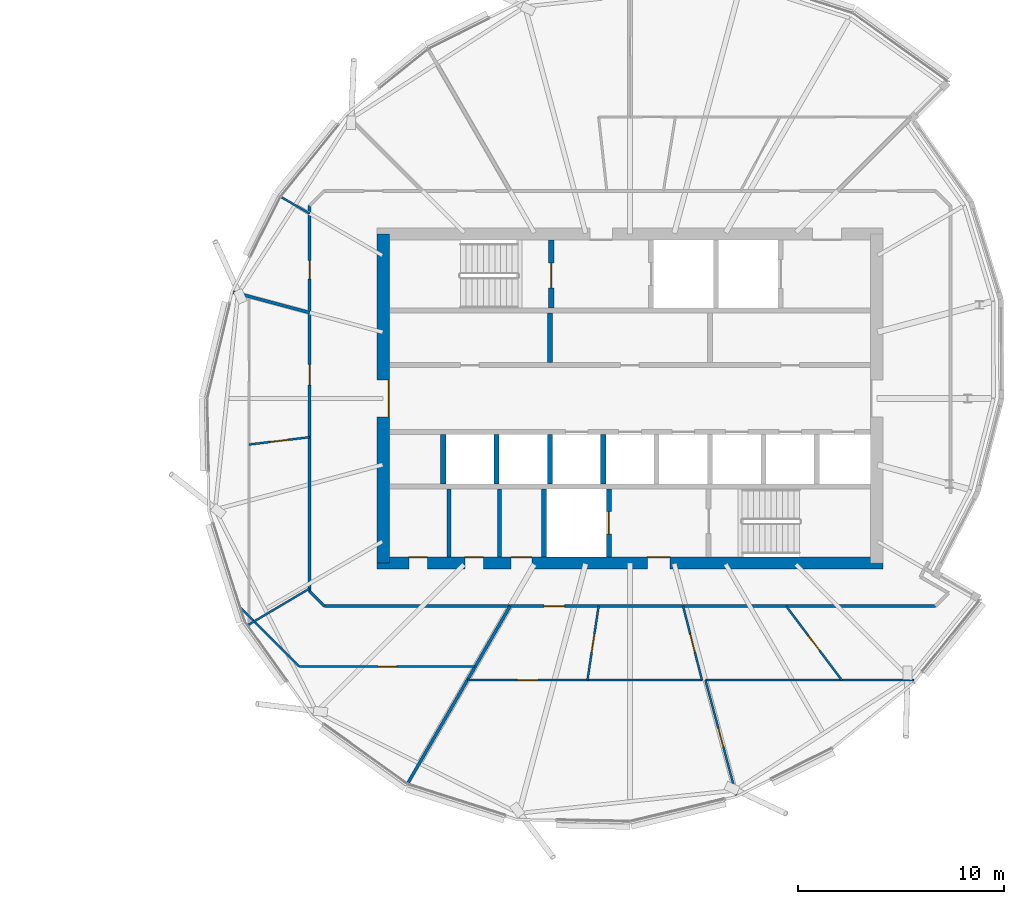
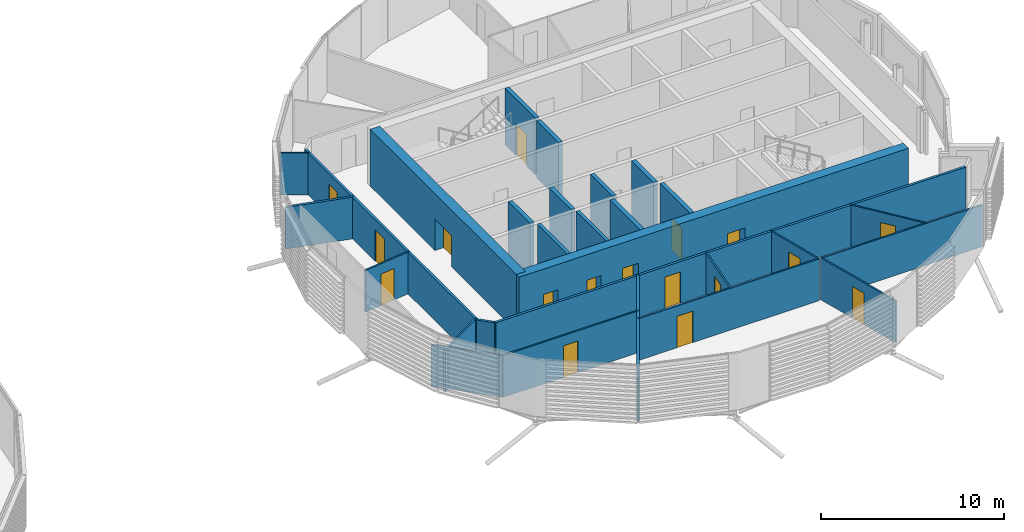
# One storey, part 22 of 36: 28 walls, 17 doors, 17 openings.
"""IFC4 building model written with IfcOpenShell, lengths in metres."""

from ifc_helpers import new_model, si_unit, direction, frame, frame_2d, origin, place, context, subcontext, project, spatial, rectangle, extrude, material, layer, layer_set, type_object, element, fill, save


model = new_model("IFC4")

# Units and contexts
model_context = context("Model", 3, precision=1e-05, world=origin(), true_north=direction((0.0, 1.0)))
body_context = subcontext(model_context, "Body", "Model", "MODEL_VIEW")
ifc_project = project(units=[si_unit("LENGTHUNIT", "METRE"), si_unit("AREAUNIT", "SQUARE_METRE"), si_unit("VOLUMEUNIT", "CUBIC_METRE"), si_unit("PLANEANGLEUNIT", "RADIAN"), si_unit("MASSUNIT", "GRAM", prefix="KILO")], contexts=[model_context])

# Site, building, storey
site_placement = place(None, origin())
site = spatial("IfcSite", under=ifc_project, at=site_placement, CompositionType="ELEMENT")
building_placement = place(site_placement, origin())
building = spatial("IfcBuilding", under=site, at=building_placement, Name="Rimbun Link Towers", CompositionType="ELEMENT")
storey_placement = place(building_placement, frame((0.0, 0.0, 189.300048828125)))
storey = spatial("IfcBuildingStorey", under=building, at=storey_placement, Name="L46", CompositionType="ELEMENT", Elevation=189.300048828125)

# Walls
ifc_material_1 = material(Name="Masonry blockwork", Category="masonry")
ifc_layer_1 = layer(ifc_material_1, 0.199951171875)
ifc_layer_set_1 = layer_set([ifc_layer_1], Name="Core partition 200")
wall_type_1 = type_object("IfcWallType", Name="Core partition 200", PredefinedType="PARTITIONING", material=ifc_layer_set_1)
for number, where, z_axis, x_axis, name in (
    (1, (22.949951171875, -4.39990234375, 0.0), (0.0, 0.0, 1.0), (0.0, -1.0, 0.0), "L46 T2 core wall C1"),
    (2, (25.39990234375, -4.39990234375, 0.0), (0.0, 0.0, 1.0), (0.0, -1.0, 0.0), "L46 T2 core wall C2"),
):
    element("IfcWall", number, at=place(storey_placement, frame(where, z_axis=z_axis, x_axis=x_axis)), inside=storey, type_object=wall_type_1, Name=name, PredefinedType="PARTITIONING", context=body_context, shape_type="SweptSolid", body=[
        extrude(rectangle(XDim=3.300048828125, YDim=0.199951171875, at=frame_2d((1.64990234375, 0.0))), origin(), (0.0, 0.0, 1.0), 3.800048828125),
    ])

# Wall, openings, doors
ifc_material_2 = material(Name="Concrete C60/75", Category="concrete")
ifc_layer_2 = layer(ifc_material_2, 0.60009765625)
ifc_layer_set_2 = layer_set([ifc_layer_2], Name="Core shear wall 600")
wall_type_2 = type_object("IfcWallType", Name="Core shear wall 600", PredefinedType="SHEAR", material=ifc_layer_set_2)
wall_1_placement = place(storey_placement, frame((19.449951171875, -8.0, 0.0), z_axis=(0.0, 0.0, 1.0), x_axis=(1.0, 0.0, 0.0)))
wall_1 = element("IfcWall", 3, at=wall_1_placement, inside=storey, type_object=wall_type_2, Name="L46 T2 core wall S", PredefinedType="SHEAR", context=body_context, shape_type="SweptSolid", body=[
    extrude(rectangle(XDim=24.60009765625, YDim=0.60009765625, at=frame_2d((12.300048828125, 0.0))), origin(), (0.0, 0.0, 1.0), 3.800048828125),
])
opening_1_placement = place(wall_1_placement, frame((13.14990234375, 0.0, 0.0)))
opening_1 = element("IfcOpeningElement", 4, at=opening_1_placement, cuts=wall_1, Name="Opening C2DCF01S", PredefinedType="OPENING", context=body_context, shape_type="SweptSolid", body=[
    extrude(rectangle(XDim=1.10009765625, YDim=2.10009765625, at=frame_2d((0.550048828125, 1.050048828125))), frame((0.0, 0.31005859375, 0.0), z_axis=(0.0, -1.0, 0.0), x_axis=(1.0, 0.0, 0.0)), (0.0, 0.0, 1.0), 0.6201171875),
])
opening_2_placement = place(wall_1_placement, frame((1.550048828125, 0.0, 0.0)))
opening_2 = element("IfcOpeningElement", 5, at=opening_2_placement, cuts=wall_1, Name="Opening C2DWC02S", PredefinedType="OPENING", context=body_context, shape_type="SweptSolid", body=[
    extrude(rectangle(XDim=0.89990234375, YDim=2.10009765625, at=frame_2d((0.449951171875, 1.050048828125))), frame((0.0, 0.31005859375, 0.0), z_axis=(0.0, -1.0, 0.0), x_axis=(1.0, 0.0, 0.0)), (0.0, 0.0, 1.0), 0.6201171875),
])
opening_3_placement = place(wall_1_placement, frame((4.27490234375, 0.0, 0.0)))
opening_3 = element("IfcOpeningElement", 6, at=opening_3_placement, cuts=wall_1, Name="Opening C2DWC03S", PredefinedType="OPENING", context=body_context, shape_type="SweptSolid", body=[
    extrude(rectangle(XDim=0.89990234375, YDim=2.10009765625, at=frame_2d((0.449951171875, 1.050048828125))), frame((0.0, 0.31005859375, 0.0), z_axis=(0.0, -1.0, 0.0), x_axis=(1.0, 0.0, 0.0)), (0.0, 0.0, 1.0), 0.6201171875),
])
opening_4_placement = place(wall_1_placement, frame((6.52490234375, 0.0, 0.0)))
opening_4 = element("IfcOpeningElement", 7, at=opening_4_placement, cuts=wall_1, Name="Opening C2DAW04S", PredefinedType="OPENING", context=body_context, shape_type="SweptSolid", body=[
    extrude(rectangle(XDim=1.0, YDim=2.10009765625, at=frame_2d((0.5, 1.050048828125))), frame((0.0, 0.31005859375, 0.0), z_axis=(0.0, -1.0, 0.0), x_axis=(1.0, 0.0, 0.0)), (0.0, 0.0, 1.0), 0.6201171875),
])
ifc_material_3 = material(Name="Timber", Category="wood")
door_type_1 = type_object("IfcDoorType", Name="Accessible WC door", OperationType="SINGLE_SWING_LEFT", PredefinedType="DOOR", material=ifc_material_3)
door_1_placement = place(opening_4_placement, origin())
door_1 = element("IfcDoor", 8, at=door_1_placement, inside=storey, type_object=door_type_1, Name="L46 T2 accessible wc door", OperationType="SINGLE_SWING_LEFT", OverallHeight=2.10009765625, OverallWidth=1.0, PredefinedType="DOOR", context=body_context, shape_type="SweptSolid", body=[
    extrude(rectangle(XDim=1.0, YDim=2.10009765625, at=frame_2d((0.5, 1.050048828125))), frame((0.0, 0.2998046875, 0.0), z_axis=(0.0, -1.0, 0.0), x_axis=(1.0, 0.0, 0.0)), (0.0, 0.0, 1.0), 0.050048828125),
])
fill(opening_4, door_1)
ifc_material_4 = material(Name="Steel fire door set", Category="steel")
door_type_2 = type_object("IfcDoorType", Name="Core fire door single", OperationType="SINGLE_SWING_LEFT", PredefinedType="DOOR", material=ifc_material_4)
door_2_placement = place(opening_1_placement, origin())
door_2 = element("IfcDoor", 9, at=door_2_placement, inside=storey, type_object=door_type_2, Name="L46 T2 firefighting lobby s door", OperationType="SINGLE_SWING_RIGHT", OverallHeight=2.10009765625, OverallWidth=1.10009765625, PredefinedType="DOOR", context=body_context, shape_type="SweptSolid", body=[
    extrude(rectangle(XDim=1.10009765625, YDim=2.10009765625, at=frame_2d((0.550048828125, 1.050048828125))), frame((0.0, 0.2998046875, 0.0), z_axis=(0.0, -1.0, 0.0), x_axis=(1.0, 0.0, 0.0)), (0.0, 0.0, 1.0), 0.050048828125),
])
fill(opening_1, door_2)
ifc_material_5 = material(Name="Timber", Category="wood")
door_type_3 = type_object("IfcDoorType", Name="WC door", OperationType="SINGLE_SWING_LEFT", PredefinedType="DOOR", material=ifc_material_5)
door_3_placement = place(opening_2_placement, origin())
door_3 = element("IfcDoor", 10, at=door_3_placement, inside=storey, type_object=door_type_3, Name="L46 T2 male wc door", OperationType="SINGLE_SWING_RIGHT", OverallHeight=2.10009765625, OverallWidth=0.89990234375, PredefinedType="DOOR", context=body_context, shape_type="SweptSolid", body=[
    extrude(rectangle(XDim=0.89990234375, YDim=2.10009765625, at=frame_2d((0.449951171875, 1.050048828125))), frame((0.0, 0.2998046875, 0.0), z_axis=(0.0, -1.0, 0.0), x_axis=(1.0, 0.0, 0.0)), (0.0, 0.0, 1.0), 0.050048828125),
])
fill(opening_2, door_3)
door_4_placement = place(opening_3_placement, origin())
door_4 = element("IfcDoor", 11, at=door_4_placement, inside=storey, type_object=door_type_3, Name="L46 T2 female wc door", OperationType="SINGLE_SWING_RIGHT", OverallHeight=2.10009765625, OverallWidth=0.89990234375, PredefinedType="DOOR", context=body_context, shape_type="SweptSolid", body=[
    extrude(rectangle(XDim=0.89990234375, YDim=2.10009765625, at=frame_2d((0.449951171875, 1.050048828125))), frame((0.0, 0.2998046875, 0.0), z_axis=(0.0, -1.0, 0.0), x_axis=(1.0, 0.0, 0.0)), (0.0, 0.0, 1.0), 0.050048828125),
])
fill(opening_3, door_4)

# Wall, opening, door
wall_2_placement = place(storey_placement, frame((19.75, -8.0, 0.0), z_axis=(0.0, 0.0, 1.0), x_axis=(0.0, 1.0, 0.0)))
wall_2 = element("IfcWall", 12, at=wall_2_placement, inside=storey, type_object=wall_type_2, Name="L46 T2 core wall W", PredefinedType="SHEAR", context=body_context, shape_type="SweptSolid", body=[
    extrude(rectangle(XDim=16.0, YDim=0.60009765625, at=frame_2d((8.0, 0.0))), origin(), (0.0, 0.0, 1.0), 3.800048828125),
])
opening_5_placement = place(wall_2_placement, frame((7.10009765625, 0.0, 0.0)))
opening_5 = element("IfcOpeningElement", 13, at=opening_5_placement, cuts=wall_2, Name="Opening C2DCL01W", PredefinedType="OPENING", context=body_context, shape_type="SweptSolid", body=[
    extrude(rectangle(XDim=1.800048828125, YDim=2.10009765625, at=frame_2d((0.89990234375, 1.050048828125))), frame((0.0, 0.31005859375, 0.0), z_axis=(0.0, -1.0, 0.0), x_axis=(1.0, 0.0, 0.0)), (0.0, 0.0, 1.0), 0.6201171875),
])
ifc_material_6 = material(Name="Steel fire door set", Category="steel")
door_type_4 = type_object("IfcDoorType", Name="Core lobby door double", OperationType="DOUBLE_DOOR_SINGLE_SWING", PredefinedType="DOOR", material=ifc_material_6)
door_5_placement = place(opening_5_placement, origin())
door_5 = element("IfcDoor", 14, at=door_5_placement, inside=storey, type_object=door_type_4, Name="L46 T2 lift lobby door", OperationType="DOUBLE_DOOR_SINGLE_SWING", OverallHeight=2.10009765625, OverallWidth=1.800048828125, PredefinedType="DOOR", context=body_context, shape_type="SweptSolid", body=[
    extrude(rectangle(XDim=1.800048828125, YDim=2.10009765625, at=frame_2d((0.89990234375, 1.050048828125))), frame((0.0, -0.25, 0.0), z_axis=(0.0, -1.0, 0.0), x_axis=(1.0, 0.0, 0.0)), (0.0, 0.0, 1.0), 0.050048828125),
])
fill(opening_5, door_5)

ifc_material_7 = material(Name="Plasterboard on steel stud, mineral wool", Category="steel")
ifc_layer_3 = layer(ifc_material_7, 0.14990234375)
ifc_layer_set_3 = layer_set([ifc_layer_3], Name="Corridor wall EI 30 150 mm")
wall_type_3 = type_object("IfcWallType", Name="Corridor wall EI 30 150 mm", PredefinedType="PARTITIONING", material=ifc_layer_set_3)
wall_3_placement = place(storey_placement, frame((46.603759765625, -10.094970703125, 0.0), z_axis=(0.0, 0.0, 1.0), x_axis=(-1.0, 0.0, 0.0)))
wall_3 = element("IfcWall", 15, at=wall_3_placement, inside=storey, type_object=wall_type_3, Name="Corridor wall EI 30 150 mm", PredefinedType="PARTITIONING", context=body_context, shape_type="SweptSolid", body=[
    extrude(rectangle(XDim=29.70751953125, YDim=0.14990234375, at=frame_2d((14.853759765625, 0.0))), origin(), (0.0, 0.0, 1.0), 2.7890625),
])
opening_6_placement = place(wall_3_placement, frame((18.02978515625, 0.0, 0.0)))
opening_6 = element("IfcOpeningElement", 16, at=opening_6_placement, cuts=wall_3, Name="Opening D01", PredefinedType="OPENING", context=body_context, shape_type="SweptSolid", body=[
    extrude(rectangle(XDim=1.0, YDim=2.10009765625, at=frame_2d((0.5, 1.050048828125))), frame((0.0, 0.0849609375, 0.0), z_axis=(0.0, -1.0, 0.0), x_axis=(1.0, 0.0, 0.0)), (0.0, 0.0, 1.0), 0.169921875),
])
ifc_material_8 = material(Name="Fire-resisting timber door leaf", Category="wood")
door_type_5 = type_object("IfcDoorType", Name="Fire door FD30S 1000", OperationType="NOTDEFINED", PredefinedType="DOOR", material=ifc_material_8)
door_6_placement = place(opening_6_placement, origin())
door_6 = element("IfcDoor", 17, at=door_6_placement, inside=storey, type_object=door_type_5, Name="Fire door FD30S 1000 to Tenant lobby", OperationType="SINGLE_SWING_RIGHT", OverallHeight=2.10009765625, OverallWidth=1.0, PredefinedType="DOOR", context=body_context, shape_type="SweptSolid", body=[
    extrude(rectangle(XDim=1.0, YDim=2.10009765625, at=frame_2d((0.5, 1.050048828125))), frame((0.0, 0.02490234375, 0.0), z_axis=(0.0, -1.0, 0.0), x_axis=(1.0, 0.0, 0.0)), (0.0, 0.0, 1.0), 0.050048828125),
])
fill(opening_6, door_6)

# Wall
wall_4_placement = place(storey_placement, frame((16.175048828125, -9.373779296875, 0.0), z_axis=(0.0, 0.0, 1.0), x_axis=(0.707106781187, -0.707106781187, 0.0)))
element("IfcWall", 18, at=wall_4_placement, inside=storey, type_object=wall_type_3, Name="Corridor wall EI 30 150 mm", PredefinedType="PARTITIONING", context=body_context, shape_type="SweptSolid", body=[
    extrude(rectangle(XDim=1.02001953125, YDim=0.14990234375, at=frame_2d((0.510009765625, 0.0))), origin(), (0.0, 0.0, 1.0), 2.7890625),
])

# Wall, openings, doors
wall_5_placement = place(storey_placement, frame((16.175048828125, -9.373779296875, 0.0), z_axis=(0.0, 0.0, 1.0), x_axis=(0.0, 1.0, 0.0)))
wall_5 = element("IfcWall", 19, at=wall_5_placement, inside=storey, type_object=wall_type_3, Name="Corridor wall EI 30 150 mm", PredefinedType="PARTITIONING", context=body_context, shape_type="SweptSolid", body=[
    extrude(rectangle(XDim=18.74755859375, YDim=0.14990234375, at=frame_2d((9.373779296875, 0.0))), origin(), (0.0, 0.0, 1.0), 2.7890625),
])
opening_7_placement = place(wall_5_placement, frame((15.17529296875, 0.0, 0.0)))
opening_7 = element("IfcOpeningElement", 20, at=opening_7_placement, cuts=wall_5, Name="Opening D02", PredefinedType="OPENING", context=body_context, shape_type="SweptSolid", body=[
    extrude(rectangle(XDim=0.89990234375, YDim=2.10009765625, at=frame_2d((0.449951171875, 1.050048828125))), frame((0.0, 0.0849609375, 0.0), z_axis=(0.0, -1.0, 0.0), x_axis=(1.0, 0.0, 0.0)), (0.0, 0.0, 1.0), 0.169921875),
])
opening_8_placement = place(wall_5_placement, frame((10.01904296875, 0.0, 0.0)))
opening_8 = element("IfcOpeningElement", 21, at=opening_8_placement, cuts=wall_5, Name="Opening D01", PredefinedType="OPENING", context=body_context, shape_type="SweptSolid", body=[
    extrude(rectangle(XDim=1.0, YDim=2.10009765625, at=frame_2d((0.5, 1.050048828125))), frame((0.0, 0.0849609375, 0.0), z_axis=(0.0, -1.0, 0.0), x_axis=(1.0, 0.0, 0.0)), (0.0, 0.0, 1.0), 0.169921875),
])
door_7_placement = place(opening_8_placement, origin())
door_7 = element("IfcDoor", 22, at=door_7_placement, inside=storey, type_object=door_type_5, Name="Fire door FD30S 1000 to Tenant lobby", OperationType="SINGLE_SWING_LEFT", OverallHeight=2.10009765625, OverallWidth=1.0, PredefinedType="DOOR", context=body_context, shape_type="SweptSolid", body=[
    extrude(rectangle(XDim=1.0, YDim=2.10009765625, at=frame_2d((0.5, 1.050048828125))), frame((0.0, 0.02490234375, 0.0), z_axis=(0.0, -1.0, 0.0), x_axis=(1.0, 0.0, 0.0)), (0.0, 0.0, 1.0), 0.050048828125),
])
fill(opening_8, door_7)
ifc_material_9 = material(Name="Fire-resisting timber door leaf", Category="wood")
door_type_6 = type_object("IfcDoorType", Name="Fire door FD30S 900", OperationType="NOTDEFINED", PredefinedType="DOOR", material=ifc_material_9)
door_8_placement = place(opening_7_placement, origin())
door_8 = element("IfcDoor", 23, at=door_8_placement, inside=storey, type_object=door_type_6, Name="Fire door FD30S 900 to Meeting room", OperationType="SINGLE_SWING_RIGHT", OverallHeight=2.10009765625, OverallWidth=0.89990234375, PredefinedType="DOOR", context=body_context, shape_type="SweptSolid", body=[
    extrude(rectangle(XDim=0.89990234375, YDim=2.10009765625, at=frame_2d((0.449951171875, 1.050048828125))), frame((0.0, 0.02490234375, 0.0), z_axis=(0.0, -1.0, 0.0), x_axis=(1.0, 0.0, 0.0)), (0.0, 0.0, 1.0), 0.050048828125),
])
fill(opening_7, door_8)

# Wall
ifc_material_10 = material(Name="Plasterboard on steel stud", Category="steel")
ifc_layer_4 = layer(ifc_material_10, 0.10009765625)
ifc_layer_set_4 = layer_set([ifc_layer_4], Name="Plasterboard partition 100 mm")
wall_type_4 = type_object("IfcWallType", Name="Plasterboard partition 100 mm", PredefinedType="PARTITIONING", material=ifc_layer_set_4)
wall_6_placement = place(storey_placement, frame((14.777099609375, 9.79931640625, 0.0), z_axis=(0.0, 0.0, 1.0), x_axis=(0.866019355129, -0.500010476433, 0.0)))
element("IfcWall", 24, at=wall_6_placement, inside=storey, type_object=wall_type_4, Name="Plasterboard partition 100 mm", PredefinedType="PARTITIONING", context=body_context, shape_type="SweptSolid", body=[
    extrude(rectangle(XDim=1.6142578125, YDim=0.10009765625, at=frame_2d((0.80712890625, 0.0))), origin(), (0.0, 0.0, 1.0), 2.7890625),
])

# Wall, opening, door
wall_7_placement = place(storey_placement, frame((16.175048828125, -1.8828125, 0.0), z_axis=(0.0, 0.0, 1.0), x_axis=(-0.992779371336, -0.119954657473, 0.0)))
wall_7 = element("IfcWall", 25, at=wall_7_placement, inside=storey, type_object=wall_type_4, Name="Plasterboard partition 100 mm", PredefinedType="PARTITIONING", context=body_context, shape_type="SweptSolid", body=[
    extrude(rectangle(XDim=2.96142578125, YDim=0.10009765625, at=frame_2d((1.480712890625, 0.0))), origin(), (0.0, 0.0, 1.0), 2.7890625),
])
opening_9_placement = place(wall_7_placement, frame((1.03076171875, 0.0, 0.0)))
opening_9 = element("IfcOpeningElement", 26, at=opening_9_placement, cuts=wall_7, Name="Opening D04", PredefinedType="OPENING", context=body_context, shape_type="SweptSolid", body=[
    extrude(rectangle(XDim=0.89990234375, YDim=2.10009765625, at=frame_2d((0.449951171875, 1.050048828125))), frame((0.0, 0.06005859375, 0.0), z_axis=(0.0, -1.0, 0.0), x_axis=(1.0, 0.0, 0.0)), (0.0, 0.0, 1.0), 0.1201171875),
])
ifc_material_11 = material(Name="Timber door leaf", Category="wood")
door_type_7 = type_object("IfcDoorType", Name="Flush door 900", OperationType="NOTDEFINED", PredefinedType="DOOR", material=ifc_material_11)
door_9_placement = place(opening_9_placement, origin())
door_9 = element("IfcDoor", 27, at=door_9_placement, inside=storey, type_object=door_type_7, Name="Flush door 900 to Data room", OperationType="SINGLE_SWING_LEFT", OverallHeight=2.10009765625, OverallWidth=0.89990234375, PredefinedType="DOOR", context=body_context, shape_type="SweptSolid", body=[
    extrude(rectangle(XDim=0.89990234375, YDim=2.10009765625, at=frame_2d((0.449951171875, 1.050048828125))), frame((0.0, 0.02490234375, 0.0), z_axis=(0.0, -1.0, 0.0), x_axis=(1.0, 0.0, 0.0)), (0.0, 0.0, 1.0), 0.050048828125),
])
fill(opening_9, door_9)

# Walls
wall_8_placement = place(storey_placement, frame((13.1640625, -11.023193359375, 0.0), z_axis=(0.0, 0.0, 1.0), x_axis=(0.86009095865, 0.510140708872, 0.0)))
element("IfcWall", 28, at=wall_8_placement, inside=storey, type_object=wall_type_4, Name="Plasterboard partition 100 mm", PredefinedType="PARTITIONING", context=body_context, shape_type="SweptSolid", body=[
    extrude(rectangle(XDim=3.500732421875, YDim=0.10009765625, at=frame_2d((1.75048828125, 0.0))), origin(), (0.0, 0.0, 1.0), 2.7890625),
])
wall_9_placement = place(storey_placement, frame((12.8203125, -10.177001953125, 0.0), z_axis=(0.0, 0.0, 1.0), x_axis=(0.707136982001, -0.707076579082, 0.0)))
element("IfcWall", 29, at=wall_9_placement, inside=storey, type_object=wall_type_4, Name="Plasterboard partition 100 mm", PredefinedType="PARTITIONING", context=body_context, shape_type="SweptSolid", body=[
    extrude(rectangle(XDim=4.041748046875, YDim=0.10009765625, at=frame_2d((2.02099609375, 0.0))), origin(), (0.0, 0.0, 1.0), 2.7890625),
])

# Wall, opening, door
wall_10_placement = place(storey_placement, frame((15.678466796875, -13.034912109375, 0.0), z_axis=(0.0, 0.0, 1.0), x_axis=(1.0, 0.0, 0.0)))
wall_10 = element("IfcWall", 30, at=wall_10_placement, inside=storey, type_object=wall_type_4, Name="Plasterboard partition 100 mm", PredefinedType="PARTITIONING", context=body_context, shape_type="SweptSolid", body=[
    extrude(rectangle(XDim=8.545654296875, YDim=0.10009765625, at=frame_2d((4.27294921875, 0.0))), origin(), (0.0, 0.0, 1.0), 2.7890625),
])
opening_10_placement = place(wall_10_placement, frame((3.822998046875, 0.0, 0.0)))
opening_10 = element("IfcOpeningElement", 31, at=opening_10_placement, cuts=wall_10, Name="Opening D04", PredefinedType="OPENING", context=body_context, shape_type="SweptSolid", body=[
    extrude(rectangle(XDim=0.89990234375, YDim=2.10009765625, at=frame_2d((0.449951171875, 1.050048828125))), frame((0.0, 0.06005859375, 0.0), z_axis=(0.0, -1.0, 0.0), x_axis=(1.0, 0.0, 0.0)), (0.0, 0.0, 1.0), 0.1201171875),
])
door_10_placement = place(opening_10_placement, origin())
door_10 = element("IfcDoor", 32, at=door_10_placement, inside=storey, type_object=door_type_7, Name="Flush door 900 to Communications room", OperationType="SINGLE_SWING_LEFT", OverallHeight=2.10009765625, OverallWidth=0.89990234375, PredefinedType="DOOR", context=body_context, shape_type="SweptSolid", body=[
    extrude(rectangle(XDim=0.89990234375, YDim=2.10009765625, at=frame_2d((0.449951171875, 1.050048828125))), frame((0.0, 0.02490234375, 0.0), z_axis=(0.0, -1.0, 0.0), x_axis=(1.0, 0.0, 0.0)), (0.0, 0.0, 1.0), 0.050048828125),
])
fill(opening_10, door_10)

wall_11_placement = place(storey_placement, frame((30.22607421875, -10.094970703125, 0.0), z_axis=(0.0, 0.0, 1.0), x_axis=(-0.14926506242, -0.988797219424, 0.0)))
wall_11 = element("IfcWall", 33, at=wall_11_placement, inside=storey, type_object=wall_type_4, Name="Plasterboard partition 100 mm", PredefinedType="PARTITIONING", context=body_context, shape_type="SweptSolid", body=[
    extrude(rectangle(XDim=3.640869140625, YDim=0.10009765625, at=frame_2d((1.8203125, 0.0))), origin(), (0.0, 0.0, 1.0), 2.7890625),
])
opening_11_placement = place(wall_11_placement, frame((1.370361328125, 0.0, 0.0)))
opening_11 = element("IfcOpeningElement", 34, at=opening_11_placement, cuts=wall_11, Name="Opening D04", PredefinedType="OPENING", context=body_context, shape_type="SweptSolid", body=[
    extrude(rectangle(XDim=0.89990234375, YDim=2.10009765625, at=frame_2d((0.449951171875, 1.050048828125))), frame((0.0, 0.06005859375, 0.0), z_axis=(0.0, -1.0, 0.0), x_axis=(1.0, 0.0, 0.0)), (0.0, 0.0, 1.0), 0.1201171875),
])
door_11_placement = place(opening_11_placement, origin())
door_11 = element("IfcDoor", 35, at=door_11_placement, inside=storey, type_object=door_type_7, Name="Flush door 900 to Huddle room", OperationType="SINGLE_SWING_LEFT", OverallHeight=2.10009765625, OverallWidth=0.89990234375, PredefinedType="DOOR", context=body_context, shape_type="SweptSolid", body=[
    extrude(rectangle(XDim=0.89990234375, YDim=2.10009765625, at=frame_2d((0.449951171875, 1.050048828125))), frame((0.0, 0.02490234375, 0.0), z_axis=(0.0, -1.0, 0.0), x_axis=(1.0, 0.0, 0.0)), (0.0, 0.0, 1.0), 0.050048828125),
])
fill(opening_11, door_11)

wall_12_placement = place(storey_placement, frame((35.2822265625, -13.695068359375, 0.0), z_axis=(0.0, 0.0, 1.0), x_axis=(-1.0, 0.0, 0.0)))
wall_12 = element("IfcWall", 36, at=wall_12_placement, inside=storey, type_object=wall_type_4, Name="Plasterboard partition 100 mm", PredefinedType="PARTITIONING", context=body_context, shape_type="SweptSolid", body=[
    extrude(rectangle(XDim=11.43896484375, YDim=0.10009765625, at=frame_2d((5.719482421875, 0.0))), origin(), (0.0, 0.0, 1.0), 2.7890625),
])
opening_12_placement = place(wall_12_placement, frame((8.004150390625, 0.0, 0.0)))
opening_12 = element("IfcOpeningElement", 37, at=opening_12_placement, cuts=wall_12, Name="Opening D03", PredefinedType="OPENING", context=body_context, shape_type="SweptSolid", body=[
    extrude(rectangle(XDim=1.0, YDim=2.10009765625, at=frame_2d((0.5, 1.050048828125))), frame((0.0, 0.06005859375, 0.0), z_axis=(0.0, -1.0, 0.0), x_axis=(1.0, 0.0, 0.0)), (0.0, 0.0, 1.0), 0.1201171875),
])
ifc_material_12 = material(Name="Timber door leaf", Category="wood")
door_type_8 = type_object("IfcDoorType", Name="Flush door 1000", OperationType="NOTDEFINED", PredefinedType="DOOR", material=ifc_material_12)
door_12_placement = place(opening_12_placement, origin())
door_12 = element("IfcDoor", 38, at=door_12_placement, inside=storey, type_object=door_type_8, Name="Flush door 1000 to Open office", OperationType="SINGLE_SWING_RIGHT", OverallHeight=2.10009765625, OverallWidth=1.0, PredefinedType="DOOR", context=body_context, shape_type="SweptSolid", body=[
    extrude(rectangle(XDim=1.0, YDim=2.10009765625, at=frame_2d((0.5, 1.050048828125))), frame((0.0, 0.02490234375, 0.0), z_axis=(0.0, -1.0, 0.0), x_axis=(1.0, 0.0, 0.0)), (0.0, 0.0, 1.0), 0.050048828125),
])
fill(opening_12, door_12)

wall_13_placement = place(storey_placement, frame((34.331787109375, -10.094970703125, 0.0), z_axis=(0.0, 0.0, 1.0), x_axis=(0.247757243211, -0.968822144894, 0.0)))
wall_13 = element("IfcWall", 39, at=wall_13_placement, inside=storey, type_object=wall_type_4, Name="Plasterboard partition 100 mm", PredefinedType="PARTITIONING", context=body_context, shape_type="SweptSolid", body=[
    extrude(rectangle(XDim=3.716064453125, YDim=0.10009765625, at=frame_2d((1.85791015625, 0.0))), origin(), (0.0, 0.0, 1.0), 2.7890625),
])
opening_13_placement = place(wall_13_placement, frame((1.407958984375, 0.0, 0.0)))
opening_13 = element("IfcOpeningElement", 40, at=opening_13_placement, cuts=wall_13, Name="Opening D04", PredefinedType="OPENING", context=body_context, shape_type="SweptSolid", body=[
    extrude(rectangle(XDim=0.89990234375, YDim=2.10009765625, at=frame_2d((0.449951171875, 1.050048828125))), frame((0.0, 0.06005859375, 0.0), z_axis=(0.0, -1.0, 0.0), x_axis=(1.0, 0.0, 0.0)), (0.0, 0.0, 1.0), 0.1201171875),
])
door_13_placement = place(opening_13_placement, origin())
door_13 = element("IfcDoor", 41, at=door_13_placement, inside=storey, type_object=door_type_7, Name="Flush door 900 to Huddle room", OperationType="SINGLE_SWING_RIGHT", OverallHeight=2.10009765625, OverallWidth=0.89990234375, PredefinedType="DOOR", context=body_context, shape_type="SweptSolid", body=[
    extrude(rectangle(XDim=0.89990234375, YDim=2.10009765625, at=frame_2d((0.449951171875, 1.050048828125))), frame((0.0, 0.02490234375, 0.0), z_axis=(0.0, -1.0, 0.0), x_axis=(1.0, 0.0, 0.0)), (0.0, 0.0, 1.0), 0.050048828125),
])
fill(opening_13, door_13)

wall_14_placement = place(storey_placement, frame((39.3427734375, -10.094970703125, 0.0), z_axis=(0.0, 0.0, 1.0), x_axis=(0.601057423131, -0.79920583963, 0.0)))
wall_14 = element("IfcWall", 42, at=wall_14_placement, inside=storey, type_object=wall_type_4, Name="Plasterboard partition 100 mm", PredefinedType="PARTITIONING", context=body_context, shape_type="SweptSolid", body=[
    extrude(rectangle(XDim=4.504638671875, YDim=0.10009765625, at=frame_2d((2.25244140625, 0.0))), origin(), (0.0, 0.0, 1.0), 2.7890625),
])
opening_14_placement = place(wall_14_placement, frame((1.80224609375, 0.0, 0.0)))
opening_14 = element("IfcOpeningElement", 43, at=opening_14_placement, cuts=wall_14, Name="Opening D04", PredefinedType="OPENING", context=body_context, shape_type="SweptSolid", body=[
    extrude(rectangle(XDim=0.89990234375, YDim=2.10009765625, at=frame_2d((0.449951171875, 1.050048828125))), frame((0.0, 0.06005859375, 0.0), z_axis=(0.0, -1.0, 0.0), x_axis=(1.0, 0.0, 0.0)), (0.0, 0.0, 1.0), 0.1201171875),
])
door_14_placement = place(opening_14_placement, origin())
door_14 = element("IfcDoor", 44, at=door_14_placement, inside=storey, type_object=door_type_7, Name="Flush door 900 to Pantry", OperationType="SINGLE_SWING_LEFT", OverallHeight=2.10009765625, OverallWidth=0.89990234375, PredefinedType="DOOR", context=body_context, shape_type="SweptSolid", body=[
    extrude(rectangle(XDim=0.89990234375, YDim=2.10009765625, at=frame_2d((0.449951171875, 1.050048828125))), frame((0.0, 0.02490234375, 0.0), z_axis=(0.0, -1.0, 0.0), x_axis=(1.0, 0.0, 0.0)), (0.0, 0.0, 1.0), 0.050048828125),
])
fill(opening_14, door_14)

# Wall
wall_15_placement = place(storey_placement, frame((35.41943359375, -13.695068359375, 0.0), z_axis=(0.0, 0.0, 1.0), x_axis=(1.0, 0.0, 0.0)))
element("IfcWall", 45, at=wall_15_placement, inside=storey, type_object=wall_type_4, Name="Plasterboard partition 100 mm", PredefinedType="PARTITIONING", context=body_context, shape_type="SweptSolid", body=[
    extrude(rectangle(XDim=10.150390625, YDim=0.10009765625, at=frame_2d((5.0751953125, 0.0))), origin(), (0.0, 0.0, 1.0), 2.7890625),
])

# Wall, opening, door
wall_16_placement = place(storey_placement, frame((35.41943359375, -13.695068359375, 0.0), z_axis=(0.0, 0.0, 1.0), x_axis=(0.258823048205, -0.965924753652, 0.0)))
wall_16 = element("IfcWall", 46, at=wall_16_placement, inside=storey, type_object=wall_type_4, Name="Plasterboard partition 100 mm", PredefinedType="PARTITIONING", context=body_context, shape_type="SweptSolid", body=[
    extrude(rectangle(XDim=5.80029296875, YDim=0.10009765625, at=frame_2d((2.900146484375, 0.0))), origin(), (0.0, 0.0, 1.0), 2.7890625),
])
opening_15_placement = place(wall_16_placement, frame((2.4501953125, 0.0, 0.0)))
opening_15 = element("IfcOpeningElement", 47, at=opening_15_placement, cuts=wall_16, Name="Opening D04", PredefinedType="OPENING", context=body_context, shape_type="SweptSolid", body=[
    extrude(rectangle(XDim=0.89990234375, YDim=2.10009765625, at=frame_2d((0.449951171875, 1.050048828125))), frame((0.0, 0.06005859375, 0.0), z_axis=(0.0, -1.0, 0.0), x_axis=(1.0, 0.0, 0.0)), (0.0, 0.0, 1.0), 0.1201171875),
])
door_15_placement = place(opening_15_placement, origin())
door_15 = element("IfcDoor", 48, at=door_15_placement, inside=storey, type_object=door_type_7, Name="Flush door 900 to Project room", OperationType="SINGLE_SWING_LEFT", OverallHeight=2.10009765625, OverallWidth=0.89990234375, PredefinedType="DOOR", context=body_context, shape_type="SweptSolid", body=[
    extrude(rectangle(XDim=0.89990234375, YDim=2.10009765625, at=frame_2d((0.449951171875, 1.050048828125))), frame((0.0, 0.02490234375, 0.0), z_axis=(0.0, -1.0, 0.0), x_axis=(1.0, 0.0, 0.0)), (0.0, 0.0, 1.0), 0.050048828125),
])
fill(opening_15, door_15)

# Walls
ifc_material_13 = material(Name="Concrete C60/75", Category="concrete")
ifc_layer_5 = layer(ifc_material_13, 0.25)
ifc_layer_set_5 = layer_set([ifc_layer_5], Name="Shaft wall 250")
wall_type_5 = type_object("IfcWallType", Name="Shaft wall 250", PredefinedType="SHEAR", material=ifc_layer_set_5)
for number, where, z_axis, x_axis, name in (
    (49, (27.8583984375, 1.75, 0.0), (0.0, 0.0, 1.0), (0.0, 1.0, 0.0), "L46 T2 core wall DN2"),
    (50, (22.66943359375, -4.14990234375, 0.0), (0.0, 0.0, 1.0), (0.0, 1.0, 0.0), "L46 T2 core wall DS0"),
    (51, (25.263916015625, -4.14990234375, 0.0), (0.0, 0.0, 1.0), (0.0, 1.0, 0.0), "L46 T2 core wall DS1"),
    (52, (27.8583984375, -4.14990234375, 0.0), (0.0, 0.0, 1.0), (0.0, 1.0, 0.0), "L46 T2 core wall DS2"),
    (53, (30.452880859375, -4.14990234375, 0.0), (0.0, 0.0, 1.0), (0.0, 1.0, 0.0), "L46 T2 core wall DS3"),
):
    element("IfcWall", number, at=place(storey_placement, frame(where, z_axis=z_axis, x_axis=x_axis)), inside=storey, type_object=wall_type_5, Name=name, PredefinedType="SHEAR", context=body_context, shape_type="SweptSolid", body=[
        extrude(rectangle(XDim=2.39990234375, YDim=0.25, at=frame_2d((1.199951171875, 0.0))), origin(), (0.0, 0.0, 1.0), 3.800048828125),
    ])

# Wall, opening, door
wall_17_placement = place(storey_placement, frame((27.925048828125, 4.39990234375, 0.0), z_axis=(0.0, 0.0, 1.0), x_axis=(0.0, 1.0, 0.0)))
wall_17 = element("IfcWall", 54, at=wall_17_placement, inside=storey, type_object=wall_type_5, Name="L46 T2 core wall A1", PredefinedType="SHEAR", context=body_context, shape_type="SweptSolid", body=[
    extrude(rectangle(XDim=3.300048828125, YDim=0.25, at=frame_2d((1.64990234375, 0.0))), origin(), (0.0, 0.0, 1.0), 3.800048828125),
])
opening_16_placement = place(wall_17_placement, frame((0.97509765625, 0.0, 0.0)))
opening_16 = element("IfcOpeningElement", 55, at=opening_16_placement, cuts=wall_17, Name="Opening C2DST01A1", PredefinedType="OPENING", context=body_context, shape_type="SweptSolid", body=[
    extrude(rectangle(XDim=1.199951171875, YDim=2.10009765625, at=frame_2d((0.60009765625, 1.050048828125))), frame((0.0, 0.135009765625, 0.0), z_axis=(0.0, -1.0, 0.0), x_axis=(1.0, 0.0, 0.0)), (0.0, 0.0, 1.0), 0.27001953125),
])
ifc_material_14 = material(Name="Steel fire door set", Category="steel")
door_type_9 = type_object("IfcDoorType", Name="Stair door", OperationType="SINGLE_SWING_LEFT", PredefinedType="DOOR", material=ifc_material_14)
door_16_placement = place(opening_16_placement, origin())
door_16 = element("IfcDoor", 56, at=door_16_placement, inside=storey, type_object=door_type_9, Name="L46 T2 stair a door", OperationType="SINGLE_SWING_RIGHT", OverallHeight=2.10009765625, OverallWidth=1.199951171875, PredefinedType="DOOR", context=body_context, shape_type="SweptSolid", body=[
    extrude(rectangle(XDim=1.199951171875, YDim=2.10009765625, at=frame_2d((0.60009765625, 1.050048828125))), frame((0.0, 0.02490234375, 0.0), z_axis=(0.0, -1.0, 0.0), x_axis=(1.0, 0.0, 0.0)), (0.0, 0.0, 1.0), 0.050048828125),
])
fill(opening_16, door_16)

wall_18_placement = place(storey_placement, frame((30.72509765625, -4.39990234375, 0.0), z_axis=(0.0, 0.0, 1.0), x_axis=(0.0, -1.0, 0.0)))
wall_18 = element("IfcWall", 57, at=wall_18_placement, inside=storey, type_object=wall_type_5, Name="L46 T2 core wall B2", PredefinedType="SHEAR", context=body_context, shape_type="SweptSolid", body=[
    extrude(rectangle(XDim=3.300048828125, YDim=0.25, at=frame_2d((1.64990234375, 0.0))), origin(), (0.0, 0.0, 1.0), 3.800048828125),
])
opening_17_placement = place(wall_18_placement, frame((1.10009765625, 0.0, 0.0)))
opening_17 = element("IfcOpeningElement", 58, at=opening_17_placement, cuts=wall_18, Name="Opening LD-T2-FF2", PredefinedType="OPENING", context=body_context, shape_type="SweptSolid", body=[
    extrude(rectangle(XDim=1.10009765625, YDim=2.10009765625, at=frame_2d((0.550048828125, 1.050048828125))), frame((0.0, 0.135009765625, 0.0), z_axis=(0.0, -1.0, 0.0), x_axis=(1.0, 0.0, 0.0)), (0.0, 0.0, 1.0), 0.27001953125),
])
ifc_material_15 = material(Name="Stainless steel grade 316", Category="steel")
door_type_10 = type_object("IfcDoorType", Name="Lift landing door", OperationType="DOUBLE_DOOR_SLIDING", PredefinedType="DOOR", material=ifc_material_15)
door_17_placement = place(opening_17_placement, origin())
door_17 = element("IfcDoor", 59, at=door_17_placement, inside=storey, type_object=door_type_10, Name="L46 T2 lift FF2 landing door", OperationType="DOUBLE_DOOR_SLIDING", OverallHeight=2.10009765625, OverallWidth=1.10009765625, PredefinedType="DOOR", context=body_context, shape_type="SweptSolid", body=[
    extrude(rectangle(XDim=1.10009765625, YDim=2.10009765625, at=frame_2d((0.550048828125, 1.050048828125))), frame((0.0, 0.02490234375, 0.0), z_axis=(0.0, -1.0, 0.0), x_axis=(1.0, 0.0, 0.0)), (0.0, 0.0, 1.0), 0.050048828125),
])
fill(opening_17, door_17)

# Walls
wall_19_placement = place(storey_placement, frame((27.574951171875, -4.39990234375, 0.0), z_axis=(0.0, 0.0, 1.0), x_axis=(0.0, -1.0, 0.0)))
element("IfcWall", 60, at=wall_19_placement, inside=storey, type_object=wall_type_5, Name="L46 T2 core wall B3", PredefinedType="SHEAR", context=body_context, shape_type="SweptSolid", body=[
    extrude(rectangle(XDim=3.300048828125, YDim=0.25, at=frame_2d((1.64990234375, 0.0))), origin(), (0.0, 0.0, 1.0), 3.800048828125),
])
ifc_material_16 = material(Name="Plasterboard on steel stud, mineral wool", Category="steel")
ifc_layer_6 = layer(ifc_material_16, 0.14990234375)
ifc_layer_set_6 = layer_set([ifc_layer_6], Name="Tenancy separation wall EI 60 150 mm")
wall_type_6 = type_object("IfcWallType", Name="Tenancy separation wall EI 60 150 mm", PredefinedType="PARTITIONING", material=ifc_layer_set_6)
wall_20_placement = place(storey_placement, frame((16.175048828125, 4.17333984375, 0.0), z_axis=(0.0, 0.0, 1.0), x_axis=(-0.965936741728, 0.258778304693, 0.0)))
element("IfcWall", 61, at=wall_20_placement, inside=storey, type_object=wall_type_6, Name="Tenancy separation wall EI 60 150 mm", PredefinedType="PARTITIONING", context=body_context, shape_type="SweptSolid", body=[
    extrude(rectangle(XDim=3.85400390625, YDim=0.14990234375, at=frame_2d((1.927001953125, 0.0))), origin(), (0.0, 0.0, 1.0), 2.7890625),
])
wall_21_placement = place(storey_placement, frame((25.921630859375, -10.094970703125, 0.0), z_axis=(0.0, 0.0, 1.0), x_axis=(-0.499998264499, -0.866026405774, 0.0)))
element("IfcWall", 62, at=wall_21_placement, inside=storey, type_object=wall_type_6, Name="Tenancy separation wall EI 60 150 mm", PredefinedType="PARTITIONING", context=body_context, shape_type="SweptSolid", body=[
    extrude(rectangle(XDim=9.9609375, YDim=0.14990234375, at=frame_2d((4.98046875, 0.0))), origin(), (0.0, 0.0, 1.0), 2.7890625),
])

save(model, "model.ifc")
